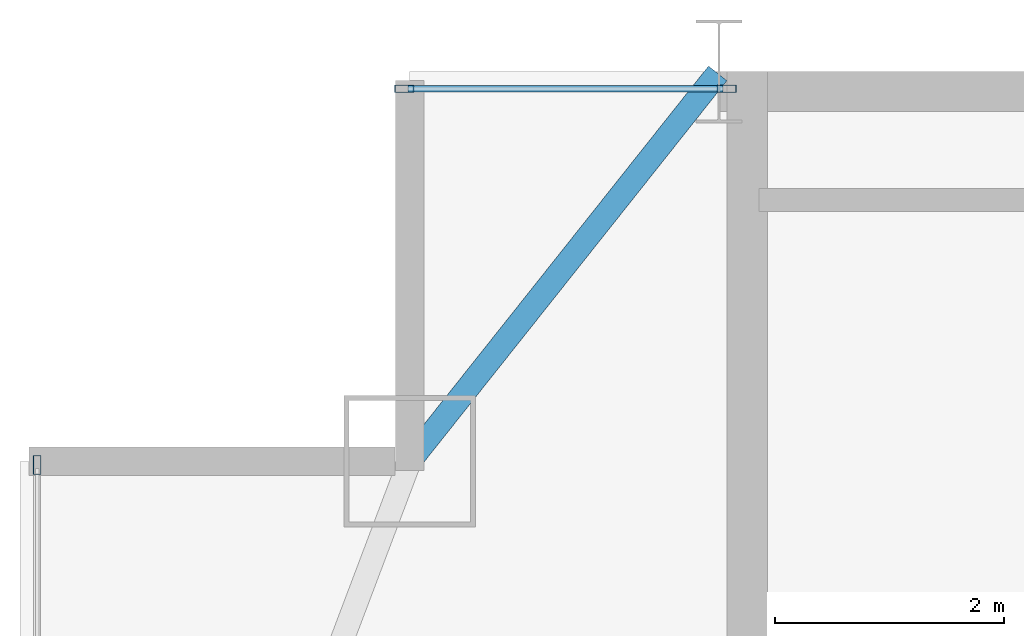
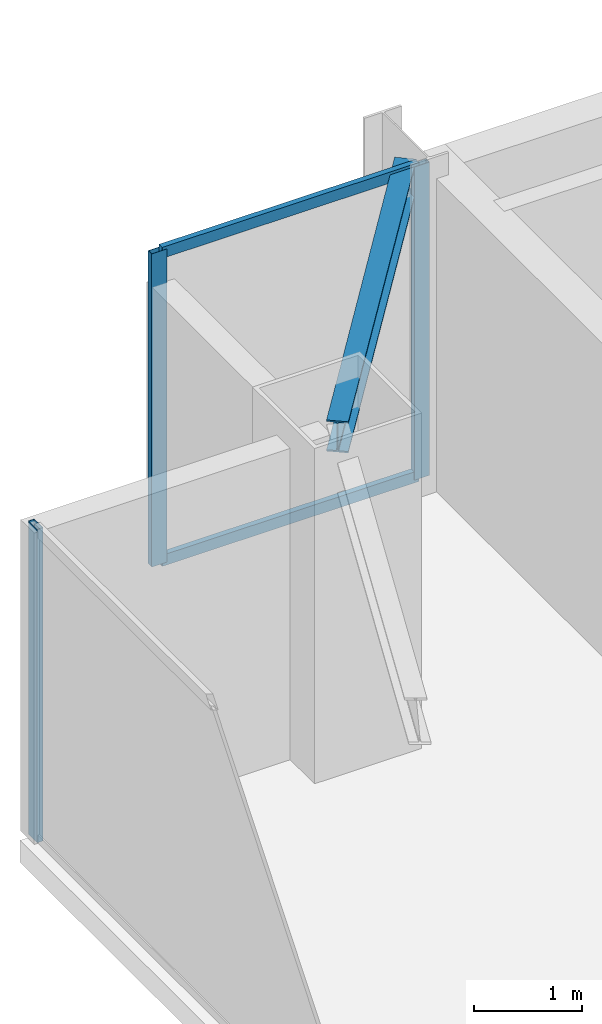
# One storey, part 21 of 30: 5 members, 1 beam, 2 elements without a shape of their own.
"""IFC4 building model written with IfcOpenShell, lengths in metres."""

from ifc_helpers import new_model, si_unit, direction, frame, origin, origin_2d, place, context, subcontext, project, spatial, hollow_rectangle, i_section, extrude, source, transform, mapped, material, layer, layer_set, material_profile, profile_set, type_object, type_shapes, element, aggregate, save


model = new_model("IFC4")

# Units and contexts
model_context = context("Model", 3, precision=1e-05, world=origin(), true_north=direction((0.0, 1.0)))
body_context = subcontext(model_context, "Body", "Model", "MODEL_VIEW")
ifc_project = project(units=[si_unit("LENGTHUNIT", "METRE"), si_unit("AREAUNIT", "SQUARE_METRE"), si_unit("VOLUMEUNIT", "CUBIC_METRE"), si_unit("PLANEANGLEUNIT", "RADIAN"), si_unit("MASSUNIT", "GRAM", prefix="KILO")], contexts=[model_context])

# Site, building, storey
site_placement = place(None, origin())
site = spatial("IfcSite", under=ifc_project, at=site_placement, CompositionType="ELEMENT")
building_placement = place(site_placement, origin())
building = spatial("IfcBuilding", under=site, at=building_placement, Name="Varnel Quay Broadcast Tower", CompositionType="ELEMENT")
storey_placement = place(building_placement, frame((0.0, 0.0, 207.39990234375)))
storey = spatial("IfcBuildingStorey", under=building, at=storey_placement, Name="L51", CompositionType="ELEMENT", Elevation=207.39990234375)

# Beam
ifc_material_1 = material(Name="Structural Steel CSA G40.21 350W", Category="steel")
ifc_material_profile_1 = material_profile(ifc_material_1, i_section(OverallWidth=0.205078125, OverallDepth=0.35400390625, WebThickness=0.009521484375, FlangeThickness=0.016845703125, FilletRadius=0.012939453125, at=origin_2d()), Name="W360X79")
ifc_profile_set_1 = profile_set([ifc_material_profile_1], Name="Structural Steel CSA G40.21 350W")
beam_type = type_object("IfcBeamType", Name="Beam_W360X79", PredefinedType="SPANDREL", material=ifc_profile_set_1)
shared_shape_1 = source(origin(), body_context, "Body", "SweptSolid", [
    extrude(i_section(OverallWidth=0.205078125, OverallDepth=0.35400390625, WebThickness=0.009521484375, FlangeThickness=0.016845703125, FilletRadius=0.012939453125, at=origin_2d()), origin(), (0.0, 0.0, 1.0), 4.301513671875),
])
type_shapes(beam_type, [shared_shape_1])
beam_placement = place(storey_placement, frame((12.912353515625, 43.415771484375, 3.373046875), z_axis=(0.621936399401, 0.783067758946, 0.0), x_axis=(-0.783067758946, 0.621936399401, 0.0)))
element("IfcBeam", 1, at=beam_placement, inside=storey, type_object=beam_type, Name="L51 NW Tie Spandrel", PredefinedType="SPANDREL", context=body_context, shape_type="MappedRepresentation", body=[
    mapped(shared_shape_1, transform((0.0, 0.0, 0.0), x_axis=(1.0, 0.0, 0.0), y_axis=(0.0, 1.0, 0.0), z_axis=(0.0, 0.0, 1.0), scale=1.0)),
])

# Curtain wall, member
ifc_material_2 = material(Name="Anodised Bronze Aluminium 6063-T6", Category="aluminium")
ifc_layer = layer(ifc_material_2, 0.18994140625, Name="Anodised Bronze Aluminium 6063-T6")
ifc_layer_set = layer_set([ifc_layer], Name="Anodised Bronze Aluminium 6063-T6")
curtain_wall_type = type_object("IfcCurtainWallType", Name="CW_UpperTower", PredefinedType="NOTDEFINED", material=ifc_layer_set)
curtain_wall_1_placement = place(storey_placement, origin())
curtain_wall_1 = element("IfcCurtainWall", 2, at=curtain_wall_1_placement, inside=storey, type_object=curtain_wall_type, Name="L51 West Unitised Curtain Wall", PredefinedType="NOTDEFINED")
ifc_material_profile_2 = material_profile(ifc_material_2, hollow_rectangle(XDim=0.06494140625, YDim=0.1650390625, WallThickness=0.00341796875, at=origin_2d()), Name="ALU65X165X3.5")
ifc_profile_set_2 = profile_set([ifc_material_profile_2], Name="Anodised Bronze Aluminium 6063-T6")
member_type_1 = type_object("IfcMemberType", Name="Mull_CWS-03", PredefinedType="MULLION", material=ifc_profile_set_2)
shared_shape_2 = source(origin(), body_context, "Body", "SweptSolid", [
    extrude(hollow_rectangle(XDim=0.06494140625, YDim=0.1650390625, WallThickness=0.00341796875, at=origin_2d()), origin(), (0.0, 0.0, 1.0), 3.550048828125),
])
type_shapes(member_type_1, [shared_shape_2])
member_1_placement = place(storey_placement, frame((9.64990234375, 43.367431640625, 0.0), z_axis=(0.0, 0.0, 1.0), x_axis=(-1.0, 0.0, 0.0)))
member_1 = element("IfcMember", 3, at=member_1_placement, type_object=member_type_1, Name="CWS-03 mullion 3", PredefinedType="MULLION", context=body_context, shape_type="MappedRepresentation", body=[
    mapped(shared_shape_2, transform((0.0, 0.0, 0.0), x_axis=(1.0, 0.0, 0.0), y_axis=(0.0, 1.0, 0.0), z_axis=(0.0, 0.0, 1.0), scale=1.0)),
])
aggregate(curtain_wall_1, [member_1])

# Curtain wall, members
curtain_wall_2_placement = place(storey_placement, origin())
curtain_wall_2 = element("IfcCurtainWall", 4, at=curtain_wall_2_placement, inside=storey, type_object=curtain_wall_type, Name="L51 NW Wing Curtain Wall", PredefinedType="NOTDEFINED")
member_2_placement = place(storey_placement, frame((12.8525390625, 46.64990234375, 0.0), z_axis=(0.0, 0.0, 1.0), x_axis=(0.0, 1.0, 0.0)))
member_2 = element("IfcMember", 5, at=member_2_placement, type_object=member_type_1, Name="CWS-03 mullion 1", PredefinedType="MULLION", context=body_context, shape_type="MappedRepresentation", body=[
    mapped(shared_shape_2, transform((0.0, 0.0, 0.0), x_axis=(1.0, 0.0, 0.0), y_axis=(0.0, 1.0, 0.0), z_axis=(0.0, 0.0, 1.0), scale=1.0)),
])
member_3_placement = place(storey_placement, frame((15.66748046875, 46.64990234375, 0.0), z_axis=(0.0, 0.0, 1.0), x_axis=(0.0, 1.0, 0.0)))
member_3 = element("IfcMember", 6, at=member_3_placement, type_object=member_type_1, Name="CWS-03 mullion 2", PredefinedType="MULLION", context=body_context, shape_type="MappedRepresentation", body=[
    mapped(shared_shape_2, transform((0.0, 0.0, 0.0), x_axis=(1.0, 0.0, 0.0), y_axis=(0.0, 1.0, 0.0), z_axis=(0.0, 0.0, 1.0), scale=1.0)),
])
ifc_material_profile_3 = material_profile(ifc_material_2, hollow_rectangle(XDim=0.06005859375, YDim=0.125, WallThickness=0.0029296875, at=origin_2d()), Name="ALU60X125X3")
ifc_profile_set_3 = profile_set([ifc_material_profile_3], Name="Anodised Bronze Aluminium 6063-T6")
member_type_2 = type_object("IfcMemberType", Name="Tran_CWS-03", PredefinedType="USERDEFINED", material=ifc_profile_set_3)
shared_shape_3 = source(origin(), body_context, "Body", "SweptSolid", [
    extrude(hollow_rectangle(XDim=0.06005859375, YDim=0.125, WallThickness=0.0029296875, at=origin_2d()), origin(), (0.0, 0.0, 1.0), 2.75),
])
type_shapes(member_type_2, [shared_shape_3])
member_4_placement = place(storey_placement, frame((12.885009765625, 46.64990234375, 0.030029296875), z_axis=(1.0, 0.0, 0.0), x_axis=(0.0, 1.0, 0.0)))
member_4 = element("IfcMember", 7, at=member_4_placement, type_object=member_type_2, Name="CWS-03 transom 1.1", ObjectType="TRANSOM", PredefinedType="USERDEFINED", context=body_context, shape_type="MappedRepresentation", body=[
    mapped(shared_shape_3, transform((0.0, 0.0, 0.0), x_axis=(1.0, 0.0, 0.0), y_axis=(0.0, 1.0, 0.0), z_axis=(0.0, 0.0, 1.0), scale=1.0)),
])
member_5_placement = place(storey_placement, frame((12.885009765625, 46.64990234375, 3.52001953125), z_axis=(1.0, 0.0, 0.0), x_axis=(0.0, 1.0, 0.0)))
member_5 = element("IfcMember", 8, at=member_5_placement, type_object=member_type_2, Name="CWS-03 transom 1.2", ObjectType="TRANSOM", PredefinedType="USERDEFINED", context=body_context, shape_type="MappedRepresentation", body=[
    mapped(shared_shape_3, transform((0.0, 0.0, 0.0), x_axis=(1.0, 0.0, 0.0), y_axis=(0.0, 1.0, 0.0), z_axis=(0.0, 0.0, 1.0), scale=1.0)),
])
aggregate(curtain_wall_2, [member_2, member_3, member_4, member_5])

save(model, "model.ifc")
